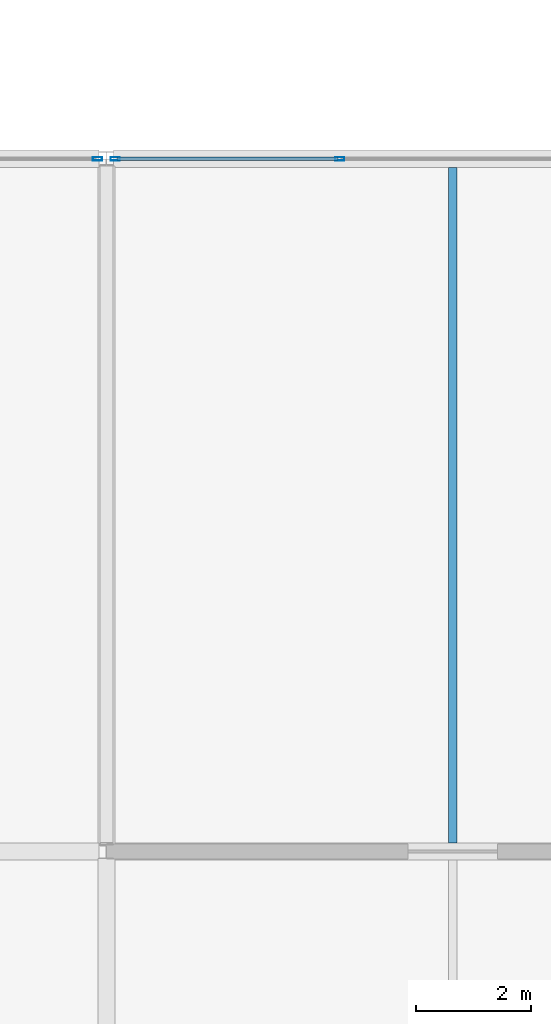
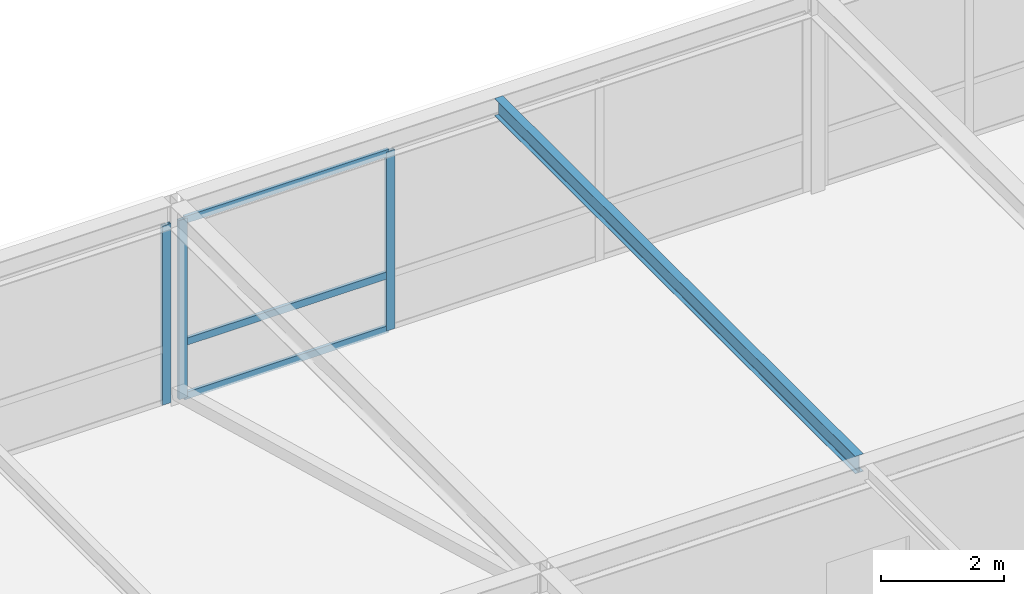
# One storey, part 82 of 111: 6 members, 1 beam, 2 elements without a shape of their own.
"""IFC4 building model written with IfcOpenShell, lengths in metres."""

from ifc_helpers import new_model, si_unit, direction, frame, origin, origin_2d, place, context, subcontext, project, spatial, hollow_rectangle, i_section, extrude, material, layer, layer_set, material_profile, profile_set, type_object, element, aggregate, save


model = new_model("IFC4")

# Units and contexts
model_context = context("Model", 3, precision=1e-05, world=origin(), true_north=direction((0.0, 1.0)))
body_context = subcontext(model_context, "Body", "Model", "MODEL_VIEW")
ifc_project = project(units=[si_unit("LENGTHUNIT", "METRE"), si_unit("AREAUNIT", "SQUARE_METRE"), si_unit("VOLUMEUNIT", "CUBIC_METRE"), si_unit("PLANEANGLEUNIT", "RADIAN"), si_unit("MASSUNIT", "GRAM", prefix="KILO")], contexts=[model_context])

# Site, building, storey
site_placement = place(None, origin())
site = spatial("IfcSite", under=ifc_project, at=site_placement, CompositionType="ELEMENT")
building_placement = place(site_placement, origin())
building = spatial("IfcBuilding", under=site, at=building_placement, Name="Zlatovratsky Civic Hall", CompositionType="ELEMENT")
storey_placement = place(building_placement, frame((0.0, 0.0, 16.5)))
storey = spatial("IfcBuildingStorey", under=building, at=storey_placement, Name="L04", CompositionType="ELEMENT", Elevation=16.5)

# Curtain wall, member
ifc_material_1 = material(Name="Anodised bronze aluminium", Category="aluminium")
ifc_layer = layer(ifc_material_1, 0.159912109375)
ifc_layer_set = layer_set([ifc_layer], Name="Anodised bronze aluminium")
curtain_wall_type = type_object("IfcCurtainWallType", Name="CurtainWall_Bronze_11750x3550_17", PredefinedType="NOTDEFINED", material=ifc_layer_set)
curtain_wall_1_placement = place(storey_placement, origin())
curtain_wall_1 = element("IfcCurtainWall", 1, at=curtain_wall_1_placement, inside=storey, type_object=curtain_wall_type, Name="CW-111", PredefinedType="NOTDEFINED")
ifc_material_profile_1 = material_profile(ifc_material_1, hollow_rectangle(XDim=0.06005859375, YDim=0.159912109375, WallThickness=0.00390625, at=origin_2d()), Name="ALU 60x160x4")
ifc_profile_set_1 = profile_set([ifc_material_profile_1], Name="Anodised bronze aluminium")
member_type_1 = type_object("IfcMemberType", Name="CW_Mullion_60x160", PredefinedType="MULLION", material=ifc_profile_set_1)
member_1_placement = place(storey_placement, frame((131.844970703125, 30.0, 0.0), z_axis=(0.0, 0.0, 1.0), x_axis=(0.0, 1.0, 0.0)))
member_1 = element("IfcMember", 2, at=member_1_placement, type_object=member_type_1, Name="CW-17 mullion 4", PredefinedType="MULLION", context=body_context, shape_type="SweptSolid", body=[
    extrude(hollow_rectangle(XDim=0.06005859375, YDim=0.159912109375, WallThickness=0.00390625, at=origin_2d()), origin(), (0.0, 0.0, 1.0), 3.550048828125),
])
aggregate(curtain_wall_1, [member_1])

# Curtain wall, members
curtain_wall_2_placement = place(storey_placement, origin())
curtain_wall_2 = element("IfcCurtainWall", 3, at=curtain_wall_2_placement, inside=storey, type_object=curtain_wall_type, Name="CW-112", PredefinedType="NOTDEFINED")
member_2_placement = place(storey_placement, frame((132.155029296875, 30.0, 0.0), z_axis=(0.0, 0.0, 1.0), x_axis=(0.0, 1.0, 0.0)))
member_2 = element("IfcMember", 4, at=member_2_placement, type_object=member_type_1, Name="CW-17 mullion 1", PredefinedType="MULLION", context=body_context, shape_type="SweptSolid", body=[
    extrude(hollow_rectangle(XDim=0.06005859375, YDim=0.159912109375, WallThickness=0.00390625, at=origin_2d()), origin(), (0.0, 0.0, 1.0), 3.550048828125),
])
member_3_placement = place(storey_placement, frame((136.041748046875, 30.0, 0.0), z_axis=(0.0, 0.0, 1.0), x_axis=(0.0, 1.0, 0.0)))
member_3 = element("IfcMember", 5, at=member_3_placement, type_object=member_type_1, Name="CW-17 mullion 2", PredefinedType="MULLION", context=body_context, shape_type="SweptSolid", body=[
    extrude(hollow_rectangle(XDim=0.06005859375, YDim=0.159912109375, WallThickness=0.00390625, at=origin_2d()), origin(), (0.0, 0.0, 1.0), 3.550048828125),
])
ifc_material_profile_2 = material_profile(ifc_material_1, hollow_rectangle(XDim=0.06005859375, YDim=0.139892578125, WallThickness=0.00390625, at=origin_2d()), Name="ALU 60x140x4")
ifc_profile_set_2 = profile_set([ifc_material_profile_2], Name="Anodised bronze aluminium")
member_type_2 = type_object("IfcMemberType", Name="CW_Transom_60x140", PredefinedType="USERDEFINED", material=ifc_profile_set_2)
member_4_placement = place(storey_placement, frame((132.18505859375, 30.0, 0.030029296875), z_axis=(1.0, 0.0, 0.0), x_axis=(0.0, 1.0, 0.0)))
member_4 = element("IfcMember", 6, at=member_4_placement, type_object=member_type_2, Name="CW-17 transom 1.1", ObjectType="TRANSOM", PredefinedType="USERDEFINED", context=body_context, shape_type="SweptSolid", body=[
    extrude(hollow_rectangle(XDim=0.06005859375, YDim=0.139892578125, WallThickness=0.00390625, at=origin_2d()), origin(), (0.0, 0.0, 1.0), 3.82666015625),
])
member_5_placement = place(storey_placement, frame((132.18505859375, 30.0, 1.10009765625), z_axis=(1.0, 0.0, 0.0), x_axis=(0.0, 1.0, 0.0)))
member_5 = element("IfcMember", 7, at=member_5_placement, type_object=member_type_2, Name="CW-17 transom 1.2", ObjectType="TRANSOM", PredefinedType="USERDEFINED", context=body_context, shape_type="SweptSolid", body=[
    extrude(hollow_rectangle(XDim=0.06005859375, YDim=0.139892578125, WallThickness=0.00390625, at=origin_2d()), origin(), (0.0, 0.0, 1.0), 3.82666015625),
])
member_6_placement = place(storey_placement, frame((132.18505859375, 30.0, 3.52001953125), z_axis=(1.0, 0.0, 0.0), x_axis=(0.0, 1.0, 0.0)))
member_6 = element("IfcMember", 8, at=member_6_placement, type_object=member_type_2, Name="CW-17 transom 1.3", ObjectType="TRANSOM", PredefinedType="USERDEFINED", context=body_context, shape_type="SweptSolid", body=[
    extrude(hollow_rectangle(XDim=0.06005859375, YDim=0.139892578125, WallThickness=0.00390625, at=origin_2d()), origin(), (0.0, 0.0, 1.0), 3.82666015625),
])
aggregate(curtain_wall_2, [member_2, member_3, member_4, member_5, member_6])

# Beam
ifc_material_2 = material(Name="Steel S355", Category="steel")
ifc_material_profile_3 = material_profile(ifc_material_2, i_section(OverallWidth=0.155029296875, OverallDepth=0.345947265625, WebThickness=0.006103515625, FlangeThickness=0.008544921875, FilletRadius=0.013916015625, at=origin_2d()), Name="35B1")
ifc_profile_set_3 = profile_set([ifc_material_profile_3], Name="Steel S355")
beam_type = type_object("IfcBeamType", Name="Joist_Podium_35B1", PredefinedType="JOIST", material=ifc_profile_set_3)
beam_placement = place(storey_placement, frame((138.0, 18.14990234375, 3.826904296875), z_axis=(0.0, 1.0, 0.0), x_axis=(-1.0, 0.0, 0.0)))
element("IfcBeam", 9, at=beam_placement, inside=storey, type_object=beam_type, Name="BM-3845", PredefinedType="JOIST", context=body_context, shape_type="SweptSolid", body=[
    extrude(i_section(OverallWidth=0.155029296875, OverallDepth=0.345947265625, WebThickness=0.006103515625, FlangeThickness=0.008544921875, FilletRadius=0.013916015625, at=origin_2d()), origin(), (0.0, 0.0, 1.0), 11.7001953125),
])

save(model, "model.ifc")
